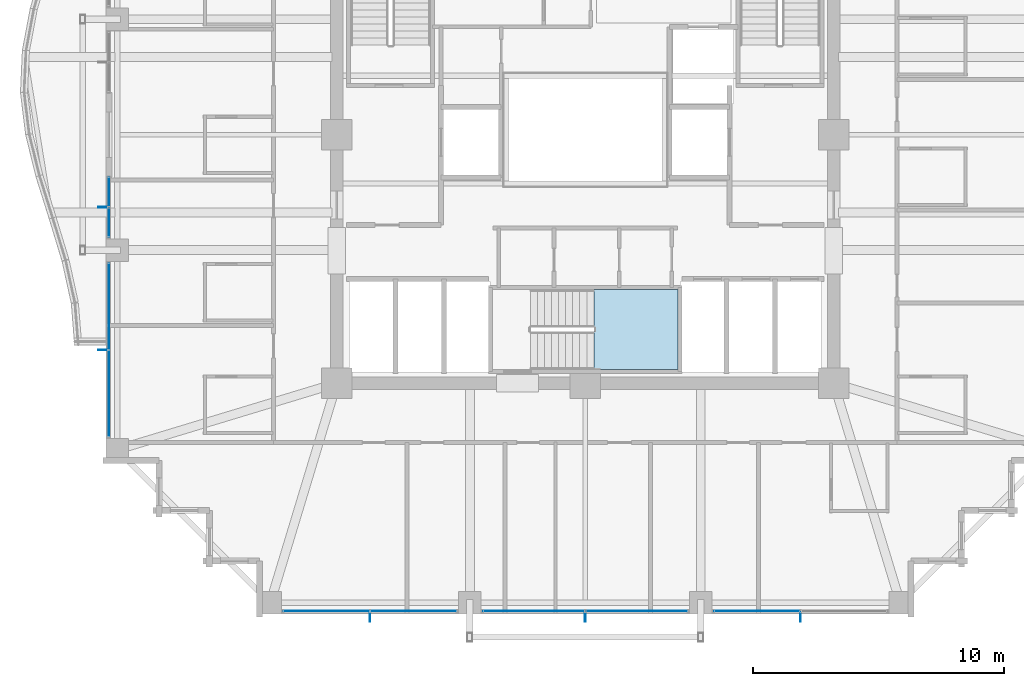
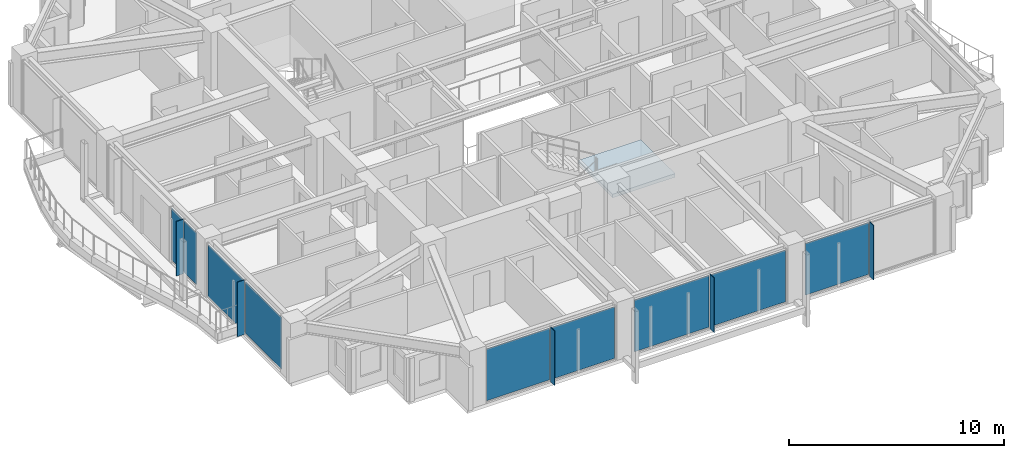
# One storey, part 25 of 37: 14 plates, 1 slab, 6 elements without a shape of their own.
"""IFC4 building model written with IfcOpenShell, lengths in metres."""

from ifc_helpers import new_model, si_unit, direction, frame, origin, origin_2d, place, context, subcontext, project, spatial, polyline, rectangle, outline, extrude, material, layer, layer_set, type_object, element, aggregate, save


model = new_model("IFC4")

# Units and contexts
model_context = context("Model", 3, precision=1e-05, world=origin(), true_north=direction((0.0, 1.0)))
body_context = subcontext(model_context, "Body", "Model", "MODEL_VIEW")
ifc_project = project(units=[si_unit("LENGTHUNIT", "METRE"), si_unit("AREAUNIT", "SQUARE_METRE"), si_unit("VOLUMEUNIT", "CUBIC_METRE"), si_unit("PLANEANGLEUNIT", "RADIAN"), si_unit("MASSUNIT", "GRAM", prefix="KILO")], contexts=[model_context])

# Site, building, storey
site_placement = place(None, origin())
site = spatial("IfcSite", under=ifc_project, at=site_placement, CompositionType="ELEMENT")
building_placement = place(site_placement, origin())
building = spatial("IfcBuilding", under=site, at=building_placement, Name="Kolvaren Belvedere", CompositionType="ELEMENT")
storey_placement = place(building_placement, frame((0.0, 0.0, 156.89990234375)))
storey = spatial("IfcBuildingStorey", under=building, at=storey_placement, Name="L45", CompositionType="ELEMENT", Elevation=156.89990234375)

# Curtain wall, plate
ifc_material_1 = material(Name="Anodised pale-metal aluminium AA 6063-T6", Category="aluminium")
curtain_wall_type = type_object("IfcCurtainWallType", Name="CW-Z3-WAIST", PredefinedType="NOTDEFINED", material=ifc_material_1)
curtain_wall_1_placement = place(storey_placement, origin())
curtain_wall_1 = element("IfcCurtainWall", 1, at=curtain_wall_1_placement, inside=storey, type_object=curtain_wall_type, Name="L45 Unitised Curtain Wall FCW-L45-S-B1", PredefinedType="NOTDEFINED")
ifc_material_2 = material(Name="Low-iron triple insulated glass", Category="glass")
ifc_layer_1 = layer(ifc_material_2, 0.028076171875)
ifc_layer_set_1 = layer_set([ifc_layer_1], Name="Low-iron triple insulated glass")
plate_type_1 = type_object("IfcPlateType", Name="CW-PNL-VIS28", PredefinedType="CURTAIN_PANEL", material=ifc_layer_set_1)
plate_1_placement = place(storey_placement, frame((6.8388671875, -18.97998046875, 0.080078125), z_axis=(0.0, 0.0, 1.0), x_axis=(-1.0, 0.0, 0.0)))
plate_1 = element("IfcPlate", 2, at=plate_1_placement, type_object=plate_type_1, Name="FCW-L45-S-B1 Vision Glazing Panel 2", PredefinedType="CURTAIN_PANEL", context=body_context, shape_type="SweptSolid", body=[
    extrude(rectangle(XDim=3.392578125, YDim=0.028076171875, at=origin_2d()), origin(), (0.0, 0.0, 1.0), 2.93994140625),
])
aggregate(curtain_wall_1, [plate_1])

# Curtain wall, plates
curtain_wall_2_placement = place(storey_placement, origin())
curtain_wall_2 = element("IfcCurtainWall", 3, at=curtain_wall_2_placement, inside=storey, type_object=curtain_wall_type, Name="L45 Unitised Curtain Wall FCW-L45-S-B2", PredefinedType="NOTDEFINED")
plate_2_placement = place(storey_placement, frame((2.048828125, -18.97998046875, 0.080078125), z_axis=(0.0, 0.0, 1.0), x_axis=(-1.0, 0.0, 0.0)))
plate_2 = element("IfcPlate", 4, at=plate_2_placement, type_object=plate_type_1, Name="FCW-L45-S-B2 Vision Glazing Panel 1", PredefinedType="CURTAIN_PANEL", context=body_context, shape_type="SweptSolid", body=[
    extrude(rectangle(XDim=4.017578125, YDim=0.028076171875, at=origin_2d()), origin(), (0.0, 0.0, 1.0), 2.93994140625),
])
plate_3_placement = place(storey_placement, frame((-2.048828125, -18.97998046875, 0.080078125), z_axis=(0.0, 0.0, 1.0), x_axis=(-1.0, 0.0, 0.0)))
plate_3 = element("IfcPlate", 5, at=plate_3_placement, type_object=plate_type_1, Name="FCW-L45-S-B2 Vision Glazing Panel 2", PredefinedType="CURTAIN_PANEL", context=body_context, shape_type="SweptSolid", body=[
    extrude(rectangle(XDim=4.017578125, YDim=0.028076171875, at=origin_2d()), origin(), (0.0, 0.0, 1.0), 2.93994140625),
])
aggregate(curtain_wall_2, [plate_2, plate_3])

curtain_wall_3_placement = place(storey_placement, origin())
curtain_wall_3 = element("IfcCurtainWall", 6, at=curtain_wall_3_placement, inside=storey, type_object=curtain_wall_type, Name="L45 Unitised Curtain Wall FCW-L45-S-B3", PredefinedType="NOTDEFINED")
plate_4_placement = place(storey_placement, frame((-6.8388671875, -18.97998046875, 0.080078125), z_axis=(0.0, 0.0, 1.0), x_axis=(-1.0, 0.0, 0.0)))
plate_4 = element("IfcPlate", 7, at=plate_4_placement, type_object=plate_type_1, Name="FCW-L45-S-B3 Vision Glazing Panel 1", PredefinedType="CURTAIN_PANEL", context=body_context, shape_type="SweptSolid", body=[
    extrude(rectangle(XDim=3.392578125, YDim=0.028076171875, at=origin_2d()), origin(), (0.0, 0.0, 1.0), 2.93994140625),
])
plate_5_placement = place(storey_placement, frame((-10.311279296875, -18.97998046875, 0.080078125), z_axis=(0.0, 0.0, 1.0), x_axis=(-1.0, 0.0, 0.0)))
plate_5 = element("IfcPlate", 8, at=plate_5_placement, type_object=plate_type_1, Name="FCW-L45-S-B3 Vision Glazing Panel 2", PredefinedType="CURTAIN_PANEL", context=body_context, shape_type="SweptSolid", body=[
    extrude(rectangle(XDim=3.392578125, YDim=0.028076171875, at=origin_2d()), origin(), (0.0, 0.0, 1.0), 2.93994140625),
])
aggregate(curtain_wall_3, [plate_4, plate_5])

curtain_wall_4_placement = place(storey_placement, origin())
curtain_wall_4 = element("IfcCurtainWall", 9, at=curtain_wall_4_placement, inside=storey, type_object=curtain_wall_type, Name="L45 Unitised Curtain Wall FCW-L45-W1-B1", PredefinedType="NOTDEFINED")
plate_6_placement = place(storey_placement, frame((-18.97998046875, -10.311279296875, 0.080078125), z_axis=(0.0, 0.0, 1.0), x_axis=(0.0, 1.0, 0.0)))
plate_6 = element("IfcPlate", 10, at=plate_6_placement, type_object=plate_type_1, Name="FCW-L45-W1-B1 Vision Glazing Panel 1", PredefinedType="CURTAIN_PANEL", context=body_context, shape_type="SweptSolid", body=[
    extrude(rectangle(XDim=3.392578125, YDim=0.028076171875, at=origin_2d()), origin(), (0.0, 0.0, 1.0), 2.93994140625),
])
plate_7_placement = place(storey_placement, frame((-18.97998046875, -6.8388671875, 0.080078125), z_axis=(0.0, 0.0, 1.0), x_axis=(0.0, 1.0, 0.0)))
plate_7 = element("IfcPlate", 11, at=plate_7_placement, type_object=plate_type_1, Name="FCW-L45-W1-B1 Vision Glazing Panel 2", PredefinedType="CURTAIN_PANEL", context=body_context, shape_type="SweptSolid", body=[
    extrude(rectangle(XDim=3.392578125, YDim=0.028076171875, at=origin_2d()), origin(), (0.0, 0.0, 1.0), 2.93994140625),
])
aggregate(curtain_wall_4, [plate_6, plate_7])

curtain_wall_5_placement = place(storey_placement, origin())
curtain_wall_5 = element("IfcCurtainWall", 12, at=curtain_wall_5_placement, inside=storey, type_object=curtain_wall_type, Name="L45 Unitised Curtain Wall FCW-L45-W1-B2", PredefinedType="NOTDEFINED")
plate_8_placement = place(storey_placement, frame((-18.97998046875, -3.4931640625, 0.080078125), z_axis=(0.0, 0.0, 1.0), x_axis=(0.0, 1.0, 0.0)))
plate_8 = element("IfcPlate", 13, at=plate_8_placement, type_object=plate_type_1, Name="FCW-L45-W1-B2 Vision Glazing Panel 1", PredefinedType="CURTAIN_PANEL", context=body_context, shape_type="SweptSolid", body=[
    extrude(rectangle(XDim=1.12890625, YDim=0.028076171875, at=origin_2d()), origin(), (0.0, 0.0, 1.0), 2.93994140625),
])
plate_9_placement = place(storey_placement, frame((-18.97998046875, -2.284423828125, 0.080078125), z_axis=(0.0, 0.0, 1.0), x_axis=(0.0, 1.0, 0.0)))
plate_9 = element("IfcPlate", 14, at=plate_9_placement, type_object=plate_type_1, Name="FCW-L45-W1-B2 Vision Glazing Panel 2", PredefinedType="CURTAIN_PANEL", context=body_context, shape_type="SweptSolid", body=[
    extrude(rectangle(XDim=1.12890625, YDim=0.028076171875, at=origin_2d()), origin(), (0.0, 0.0, 1.0), 2.93994140625),
])
aggregate(curtain_wall_5, [plate_8, plate_9])

# Plates
ifc_material_3 = material(Name="Anodised pale-metal aluminium AA 6063-T6", Category="aluminium")
ifc_layer_2 = layer(ifc_material_3, 0.033935546875)
ifc_layer_set_2 = layer_set([ifc_layer_2], Name="Anodised pale-metal aluminium AA 6063-T6")
plate_type_2 = type_object("IfcPlateType", Name="FIN-VERT-380", PredefinedType="USERDEFINED", material=ifc_layer_set_2)
for number, where, z_axis, x_axis, name in (
    (15, (8.574951171875, -19.219970703125, 0.0), (0.0, 0.0, 1.0), (0.0, 1.0, 0.0), "L45 Pale-Metal Vertical Shading Fin FCW-L45-S-B1-1"),
    (16, (0.0, -19.219970703125, 0.0), (0.0, 0.0, 1.0), (0.0, 1.0, 0.0), "L45 Pale-Metal Vertical Shading Fin FCW-L45-S-B2-1"),
    (17, (-8.574951171875, -19.219970703125, 0.0), (0.0, 0.0, 1.0), (0.0, 1.0, 0.0), "L45 Pale-Metal Vertical Shading Fin FCW-L45-S-B3-1"),
    (18, (-19.219970703125, -8.574951171875, 0.0), (0.0, 0.0, 1.0), (1.0, 0.0, 0.0), "L45 Pale-Metal Vertical Shading Fin FCW-L45-W1-B1-1"),
    (19, (-19.219970703125, -2.888671875, 0.0), (0.0, 0.0, 1.0), (1.0, 0.0, 0.0), "L45 Pale-Metal Vertical Shading Fin FCW-L45-W1-B2-1"),
):
    element("IfcPlate", number, at=place(storey_placement, frame(where, z_axis=z_axis, x_axis=x_axis)), inside=storey, type_object=plate_type_2, Name=name, ObjectType="VERTICAL FIN", PredefinedType="USERDEFINED", context=body_context, shape_type="SweptSolid", body=[
        extrude(rectangle(XDim=0.3798828125, YDim=0.033935546875, at=origin_2d()), origin(), (0.0, 0.0, 1.0), 3.10009765625),
    ])

# Stair, slab
ifc_material_4 = material(Name="Concrete C50/60", Category="concrete")
stair_type = type_object("IfcStairType", Name="ST-CORE-1520", PredefinedType="HALF_TURN_STAIR", material=ifc_material_4)
stair_placement = place(storey_placement, origin())
stair = element("IfcStair", 20, at=stair_placement, inside=storey, type_object=stair_type, Name="L45 Protected Exit Stair ST-3", PredefinedType="HALF_TURN_STAIR")
ifc_material_5 = material(Name="Concrete C50/60", Category="concrete")
ifc_layer_3 = layer(ifc_material_5, 0.260009765625)
ifc_layer_set_3 = layer_set([ifc_layer_3], Name="Concrete C50/60")
slab_type = type_object("IfcSlabType", Name="SL-LAND-260", PredefinedType="LANDING", material=ifc_layer_set_3)
slab_placement = place(storey_placement, frame((0.0, 0.0, 1.4501953125)))
slab = element("IfcSlab", 21, at=slab_placement, type_object=slab_type, Name="ST-3 landing 1", PredefinedType="LANDING", context=body_context, shape_type="SweptSolid", body=[
    extrude(outline(polyline([(0.340087890625, -9.35009765625), (3.699951171875, -9.35009765625), (3.699951171875, -6.159912109375), (0.340087890625, -6.159912109375), (0.340087890625, -9.35009765625)])), origin(), (0.0, 0.0, 1.0), 0.199951171875),
])
aggregate(stair, [slab])

save(model, "model.ifc")
